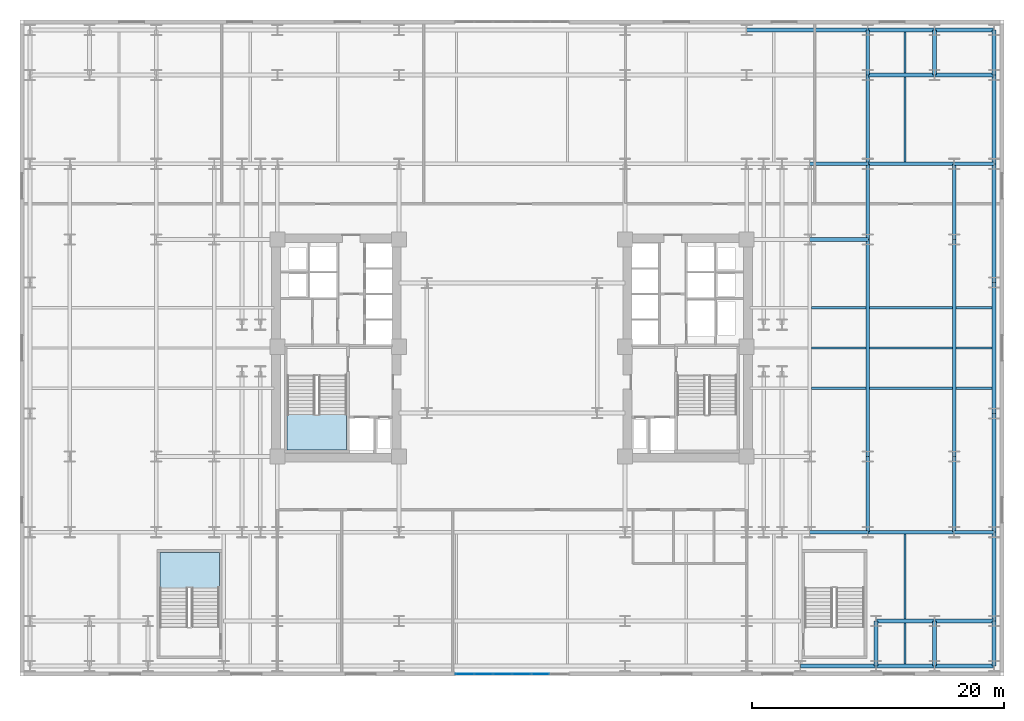
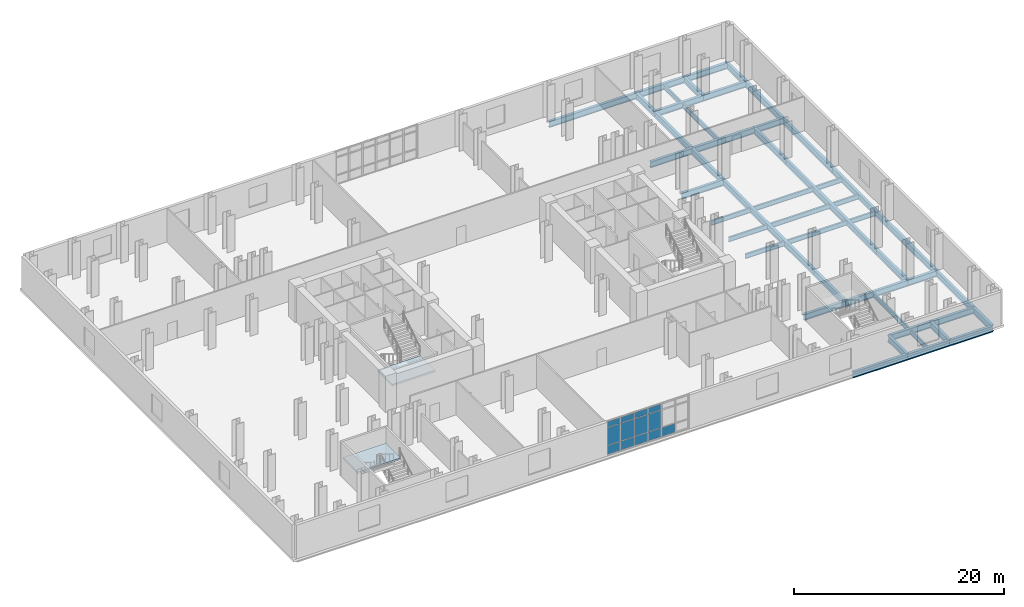
# One storey, part 6 of 13: 48 beams, 13 plates, 2 slabs, 3 elements without a shape of their own.
"""IFC4 building model written with IfcOpenShell, lengths in metres."""

import ifcopenshell
import ifcopenshell.guid

model = None  # the IFC model being written
_history = None  # IfcOwnerHistory: only IFC2X3 demands one
_inside = {}  # id of a spatial element -> (the spatial element, [elements in it])
_under = {}  # id of a project, library or spatial element -> (it, [spatial elements below it])
_declared = {}  # id of a project -> (the project, [libraries it declares])
_typed = {}  # id of a type object -> (the type object, [elements of that type])
_made_of = {}  # id of a material, layer set ... -> (it, [elements and type objects made of it])


def new_model(schema):
    """Start an empty IFC model of exactly this schema.

    Asked for "IFC4X3", IfcOpenShell would pick the latest addendum, in which some entities
    have other attributes; the version numbers below select the first issue.
    IFC2X3 requires an IfcOwnerHistory on every rooted entity: one is made here for all.
    """
    global model, _history
    if schema == "IFC4X3":
        model = ifcopenshell.file(schema_version=(4, 3, 0, 0))
    else:
        model = ifcopenshell.file(schema=schema)
    _inside.clear()
    _under.clear()
    _declared.clear()
    _typed.clear()
    _made_of.clear()
    _history = None
    if model.schema == "IFC2X3":
        org = make("IfcOrganization", Name="unknown")
        user = make(
            "IfcPersonAndOrganization",
            ThePerson=make("IfcPerson", FamilyName="unknown"),
            TheOrganization=org,
        )
        app = make(
            "IfcApplication",
            ApplicationDeveloper=org,
            Version="unknown",
            ApplicationFullName="unknown",
            ApplicationIdentifier="unknown",
        )
        _history = make(
            "IfcOwnerHistory",
            OwningUser=user,
            OwningApplication=app,
            ChangeAction="ADDED",
            CreationDate=0,
        )
    return model


def make(cls, **values):
    """One entity of the class cls with the attributes given. An attribute that is None is left unset."""
    return model.create_entity(
        cls, **{name: value for name, value in values.items() if value is not None}
    )


def rooted(cls, **values):
    """An entity with a GlobalId (a new one), such as an element, a storey or a relation."""
    return make(cls, GlobalId=ifcopenshell.guid.new(), OwnerHistory=_history, **values)


def si_unit(unit_type, name, prefix=None):
    """IfcSIUnit, for example si_unit("LENGTHUNIT", "METRE", prefix="MILLI")."""
    return make("IfcSIUnit", UnitType=unit_type, Prefix=prefix, Name=name)


def assignment(units):
    """IfcUnitAssignment: the units of a project."""
    return None if units is None else make("IfcUnitAssignment", Units=units)


def point(xyz):
    """IfcCartesianPoint."""
    return None if xyz is None else make("IfcCartesianPoint", Coordinates=xyz)


def direction(xyz):
    """IfcDirection."""
    return None if xyz is None else make("IfcDirection", DirectionRatios=xyz)


def frame(location, z_axis=None, x_axis=None):
    """IfcAxis2Placement3D, a coordinate frame: its origin and axes. An axis left out is left unset."""
    return make(
        "IfcAxis2Placement3D",
        Location=point(location),
        Axis=direction(z_axis),
        RefDirection=direction(x_axis),
    )


def frame_2d(location, x_axis=None):
    """IfcAxis2Placement2D, a coordinate frame in the plane: its origin and x axis."""
    return make(
        "IfcAxis2Placement2D", Location=point(location), RefDirection=direction(x_axis)
    )


def origin():
    """The frame at (0, 0, 0) with its axes left unset."""
    return frame((0.0, 0.0, 0.0))


def origin_2d():
    """The frame at (0, 0) in the plane with its x axis left unset."""
    return frame_2d((0.0, 0.0))


def place(relative_to, where):
    """IfcLocalPlacement: puts the frame where relative to a parent placement (None: the world)."""
    return make(
        "IfcLocalPlacement", PlacementRelTo=relative_to, RelativePlacement=where
    )


def context(
    kind, dimensions, precision=None, world=None, true_north=None, identifier=None
):
    """IfcGeometricRepresentationContext, for example the 3D "Model" context."""
    return make(
        "IfcGeometricRepresentationContext",
        ContextIdentifier=identifier,
        ContextType=kind,
        CoordinateSpaceDimension=dimensions,
        Precision=precision,
        WorldCoordinateSystem=world,
        TrueNorth=true_north,
    )


def subcontext(parent, identifier, kind, view, scale=None):
    """IfcGeometricRepresentationSubContext, for example "Body" below "Model"."""
    return make(
        "IfcGeometricRepresentationSubContext",
        ContextIdentifier=identifier,
        ContextType=kind,
        ParentContext=parent,
        TargetScale=scale,
        TargetView=view,
    )


def project(units=None, contexts=None):
    """IfcProject with its units and contexts."""
    return rooted(
        "IfcProject",
        Name="project",
        RepresentationContexts=contexts,
        UnitsInContext=assignment(units),
    )


def spatial(cls, under=None, at=None, **own):
    """A site, building, storey or space (cls), placed at a placement, below another one or the project."""
    s = rooted(cls, ObjectPlacement=at, **own)
    if under is not None:
        _under.setdefault(under.id(), (under, []))[1].append(s)
    return s


def polyline(points):
    """IfcPolyline through the points."""
    return make("IfcPolyline", Points=[point(p) for p in points])


def profile(cls, at=None, kind="AREA", **sizes):
    """A parametric profile (cls). Its sizes go by their IFC names, for example OverallWidth=200.0."""
    return make(cls, ProfileType=kind, Position=at, **sizes)


def rectangle(**sizes):
    """IfcRectangleProfileDef."""
    return profile("IfcRectangleProfileDef", **sizes)


def i_section(**sizes):
    """IfcIShapeProfileDef."""
    return profile("IfcIShapeProfileDef", **sizes)


def outline(outer, holes=None, kind="AREA"):
    """IfcArbitraryClosedProfileDef: a profile drawn as a closed curve; with holes, ...WithVoids."""
    if holes is None:
        return make("IfcArbitraryClosedProfileDef", ProfileType=kind, OuterCurve=outer)
    return make(
        "IfcArbitraryProfileDefWithVoids",
        ProfileType=kind,
        OuterCurve=outer,
        InnerCurves=holes,
    )


def extrude(swept, where, along, depth):
    """IfcExtrudedAreaSolid: the profile swept, set in the frame where, extruded along a direction by depth."""
    return make(
        "IfcExtrudedAreaSolid",
        SweptArea=swept,
        Position=where,
        ExtrudedDirection=direction(along),
        Depth=depth,
    )


def shape(context_of_items, identifier, shape_type, items):
    """IfcShapeRepresentation: the items that make up one representation, for example the "Body"."""
    return make(
        "IfcShapeRepresentation",
        ContextOfItems=context_of_items,
        RepresentationIdentifier=identifier,
        RepresentationType=shape_type,
        Items=items,
    )


def material(Name=None, Category=None):
    """IfcMaterial."""
    return make("IfcMaterial", Name=Name, Category=Category)


def layer(
    of_material, thickness, ventilated=None, Name=None, Category=None, Priority=None
):
    """IfcMaterialLayer: one layer of a wall or slab, of a material (None: an air gap)."""
    return make(
        "IfcMaterialLayer",
        Material=of_material,
        LayerThickness=thickness,
        IsVentilated=ventilated,
        Name=Name,
        Category=Category,
        Priority=Priority,
    )


def layer_set(layers, Name=None):
    """IfcMaterialLayerSet."""
    return make("IfcMaterialLayerSet", MaterialLayers=layers, LayerSetName=Name)


def material_profile(
    of_material, cross_section, Name=None, Category=None, Priority=None
):
    """IfcMaterialProfile: a cross section and its material."""
    return make(
        "IfcMaterialProfile",
        Name=Name,
        Material=of_material,
        Profile=cross_section,
        Priority=Priority,
        Category=Category,
    )


def profile_set(profiles, Name=None, composite=None):
    """IfcMaterialProfileSet."""
    return make(
        "IfcMaterialProfileSet",
        Name=Name,
        MaterialProfiles=profiles,
        CompositeProfile=composite,
    )


def made_of(thing, what):
    """Note that an element or type object is made of a material, layer set ...; save() writes the relation."""
    if what is not None:
        _made_of.setdefault(what.id(), (what, []))[1].append(thing)
    return thing


def type_object(cls, material=None, **own):
    """A type object (cls), such as IfcWallType, which elements share."""
    return made_of(rooted(cls, **own), material)


def element(
    cls,
    number,
    at=None,
    inside=None,
    cuts=None,
    type_object=None,
    material=None,
    context=None,
    identifier="Body",
    shape_type=None,
    held_by="IfcProductDefinitionShape",
    body=None,
    shapes=None,
    **own,
):
    """One element of the class cls, such as IfcWall. Its Tag is "e" and its number.

    at: its placement. inside: the storey or other place that contains it. cuts: it is an
    opening in that element (IfcRelVoidsElement). A single representation is given by context,
    identifier, shape_type and body (its items); several are given by shapes. held_by: the class
    of the entity that holds the representations. save() writes the other relations.
    """
    e = rooted(cls, Tag="e%d" % number, ObjectPlacement=at, **own)
    if body is not None:
        shapes = [shape(context, identifier, shape_type, body)]
    if shapes is not None:
        e.Representation = make(held_by, Representations=shapes)
    if inside is not None:
        _inside.setdefault(inside.id(), (inside, []))[1].append(e)
    if cuts is not None:
        rooted(
            "IfcRelVoidsElement", RelatingBuildingElement=cuts, RelatedOpeningElement=e
        )
    if type_object is not None:
        _typed.setdefault(type_object.id(), (type_object, []))[1].append(e)
    return made_of(e, material)


def aggregate(whole, parts):
    """IfcRelAggregates: a whole, such as a stair, and the parts it consists of."""
    return rooted("IfcRelAggregates", RelatingObject=whole, RelatedObjects=parts)


def save(model, path):
    """Write the relations noted so far, then the file.

    IfcRelAggregates (storeys below a building ...), IfcRelContainedInSpatialStructure (elements
    in a storey), IfcRelDefinesByType, IfcRelAssociatesMaterial and IfcRelDeclares: one each for
    every whole, place, type object, material and project.
    """
    for whole, parts in _under.values():
        aggregate(whole, parts)
    for where, things in _inside.values():
        rooted(
            "IfcRelContainedInSpatialStructure",
            RelatedElements=things,
            RelatingStructure=where,
        )
    for kind, things in _typed.values():
        rooted("IfcRelDefinesByType", RelatedObjects=things, RelatingType=kind)
    for what, things in _made_of.values():
        rooted("IfcRelAssociatesMaterial", RelatedObjects=things, RelatingMaterial=what)
    for by, libraries in _declared.values():
        rooted("IfcRelDeclares", RelatingContext=by, RelatedDefinitions=libraries)
    model.write(path)


model = new_model("IFC4")

# Units and contexts
model_context = context("Model", 3, precision=1e-05, world=origin(), true_north=direction((0.0, 1.0)))
body_context = subcontext(model_context, "Body", "Model", "MODEL_VIEW")
ifc_project = project(units=[si_unit("LENGTHUNIT", "METRE"), si_unit("AREAUNIT", "SQUARE_METRE"), si_unit("VOLUMEUNIT", "CUBIC_METRE"), si_unit("PLANEANGLEUNIT", "RADIAN"), si_unit("MASSUNIT", "GRAM", prefix="KILO")], contexts=[model_context])

# Site, building, storey
site_placement = place(None, origin())
site = spatial("IfcSite", under=ifc_project, at=site_placement, CompositionType="ELEMENT")
building_placement = place(site_placement, origin())
building = spatial("IfcBuilding", under=site, at=building_placement, Name="Velakula Bourse", CompositionType="ELEMENT")
storey_placement = place(building_placement, frame((0.0, 0.0, 18.60009765625)))
storey = spatial("IfcBuildingStorey", under=building, at=storey_placement, Name="L04", CompositionType="ELEMENT", Elevation=18.60009765625)

# Beams
ifc_material_1 = material(Name="Steel IS 2062 Grade 350 (E350)", Category="steel")
ifc_material_profile_1 = material_profile(ifc_material_1, i_section(OverallWidth=0.300048828125, OverallDepth=0.699951171875, WebThickness=0.01611328125, FlangeThickness=0.02490234375, at=origin_2d()), Name="Steel IS 2062 Grade 350 (E350)")
ifc_profile_set_1 = profile_set([ifc_material_profile_1], Name="Steel IS 2062 Grade 350 (E350)")
beam_type_1 = type_object("IfcBeamType", Name="BM-POD-700", PredefinedType="BEAM", material=ifc_profile_set_1)
for number, where, z_axis, x_axis, name in (
    (1, (23.60009765625, -14.60009765625, -0.60009765625), (1.0, 0.0, 0.0), (0.0, 1.0, 0.0), "L04 Fulcrum Grid Girder WNG-ES1"),
    (2, (23.60009765625, 8.60009765625, -0.60009765625), (1.0, 0.0, 0.0), (0.0, 1.0, 0.0), "L04 Fulcrum Grid Girder WNG-EN1"),
    (3, (23.60009765625, 14.60009765625, -0.60009765625), (1.0, 0.0, 0.0), (0.0, 1.0, 0.0), "L04 Fulcrum Grid Girder WNG-EN2"),
):
    element("IfcBeam", number, at=place(storey_placement, frame(where, z_axis=z_axis, x_axis=x_axis)), inside=storey, type_object=beam_type_1, Name=name, PredefinedType="BEAM", context=body_context, shape_type="SweptSolid", body=[
        extrude(i_section(OverallWidth=0.300048828125, OverallDepth=0.699951171875, WebThickness=0.01611328125, FlangeThickness=0.02490234375, at=origin_2d()), origin(), (0.0, 0.0, 1.0), 4.599853515625),
    ])
beam_1_placement = place(storey_placement, frame((28.199951171875, -14.60009765625, -0.60009765625), z_axis=(0.0, 1.0, 0.0), x_axis=(-1.0, 0.0, 0.0)))
element("IfcBeam", 4, at=beam_1_placement, inside=storey, type_object=beam_type_1, Name="L04 Fulcrum Grid Girder WNG-ENS1", PredefinedType="BEAM", context=body_context, shape_type="SweptSolid", body=[
    extrude(i_section(OverallWidth=0.300048828125, OverallDepth=0.699951171875, WebThickness=0.01611328125, FlangeThickness=0.02490234375, at=origin_2d()), origin(), (0.0, 0.0, 1.0), 6.0),
])
beam_2_placement = place(storey_placement, frame((28.199951171875, -8.60009765625, -0.60009765625), z_axis=(0.0, 1.0, 0.0), x_axis=(-1.0, 0.0, 0.0)))
element("IfcBeam", 5, at=beam_2_placement, inside=storey, type_object=beam_type_1, Name="L04 Fulcrum Grid Girder WNG-ENS2", PredefinedType="BEAM", context=body_context, shape_type="SweptSolid", body=[
    extrude(i_section(OverallWidth=0.300048828125, OverallDepth=0.699951171875, WebThickness=0.01611328125, FlangeThickness=0.02490234375, at=origin_2d()), origin(), (0.0, 0.0, 1.0), 17.2001953125),
])
for number, where, z_axis, x_axis, name in (
    (6, (28.199951171875, 8.60009765625, -0.60009765625), (0.0, 1.0, 0.0), (-1.0, 0.0, 0.0), "L04 Fulcrum Grid Girder WNG-ENS3"),
    (7, (22.85009765625, -25.199951171875, -0.60009765625), (1.0, 0.0, 0.0), (0.0, 1.0, 0.0), "L04 Podium E-W Girder 09"),
):
    element("IfcBeam", number, at=place(storey_placement, frame(where, z_axis=z_axis, x_axis=x_axis)), inside=storey, type_object=beam_type_1, Name=name, PredefinedType="BEAM", context=body_context, shape_type="SweptSolid", body=[
        extrude(i_section(OverallWidth=0.300048828125, OverallDepth=0.699951171875, WebThickness=0.01611328125, FlangeThickness=0.02490234375, at=origin_2d()), origin(), (0.0, 0.0, 1.0), 6.0),
    ])
beam_3_placement = place(storey_placement, frame((28.85009765625, -25.199951171875, -0.60009765625), z_axis=(1.0, 0.0, 0.0), x_axis=(0.0, 1.0, 0.0)))
element("IfcBeam", 8, at=beam_3_placement, inside=storey, type_object=beam_type_1, Name="L04 Podium E-W Girder 10", PredefinedType="BEAM", context=body_context, shape_type="SweptSolid", body=[
    extrude(i_section(OverallWidth=0.300048828125, OverallDepth=0.699951171875, WebThickness=0.01611328125, FlangeThickness=0.02490234375, at=origin_2d()), origin(), (0.0, 0.0, 1.0), 4.64990234375),
])
beam_4_placement = place(storey_placement, frame((33.5, -25.199951171875, -0.60009765625), z_axis=(1.0, 0.0, 0.0), x_axis=(0.0, 1.0, 0.0)))
element("IfcBeam", 9, at=beam_4_placement, inside=storey, type_object=beam_type_1, Name="L04 Podium E-W Girder 11", PredefinedType="BEAM", context=body_context, shape_type="SweptSolid", body=[
    extrude(i_section(OverallWidth=0.300048828125, OverallDepth=0.699951171875, WebThickness=0.01611328125, FlangeThickness=0.02490234375, at=origin_2d()), origin(), (0.0, 0.0, 1.0), 4.699951171875),
])
beam_5_placement = place(storey_placement, frame((28.85009765625, -21.64990234375, -0.60009765625), z_axis=(1.0, 0.0, 0.0), x_axis=(0.0, 1.0, 0.0)))
element("IfcBeam", 10, at=beam_5_placement, inside=storey, type_object=beam_type_1, Name="L04 Podium E-W Girder 19", PredefinedType="BEAM", context=body_context, shape_type="SweptSolid", body=[
    extrude(i_section(OverallWidth=0.300048828125, OverallDepth=0.699951171875, WebThickness=0.01611328125, FlangeThickness=0.02490234375, at=origin_2d()), origin(), (0.0, 0.0, 1.0), 4.64990234375),
])
beam_6_placement = place(storey_placement, frame((33.5, -21.64990234375, -0.60009765625), z_axis=(1.0, 0.0, 0.0), x_axis=(0.0, 1.0, 0.0)))
element("IfcBeam", 11, at=beam_6_placement, inside=storey, type_object=beam_type_1, Name="L04 Podium E-W Girder 20", PredefinedType="BEAM", context=body_context, shape_type="SweptSolid", body=[
    extrude(i_section(OverallWidth=0.300048828125, OverallDepth=0.699951171875, WebThickness=0.01611328125, FlangeThickness=0.02490234375, at=origin_2d()), origin(), (0.0, 0.0, 1.0), 4.699951171875),
])
beam_7_placement = place(storey_placement, frame((28.199951171875, -14.60009765625, -0.60009765625), z_axis=(1.0, 0.0, 0.0), x_axis=(0.0, 1.0, 0.0)))
element("IfcBeam", 12, at=beam_7_placement, inside=storey, type_object=beam_type_1, Name="L04 Podium E-W Girder 32", PredefinedType="BEAM", context=body_context, shape_type="SweptSolid", body=[
    extrude(i_section(OverallWidth=0.300048828125, OverallDepth=0.699951171875, WebThickness=0.01611328125, FlangeThickness=0.02490234375, at=origin_2d()), origin(), (0.0, 0.0, 1.0), 6.85009765625),
])
beam_8_placement = place(storey_placement, frame((35.050048828125, -14.60009765625, -0.60009765625), z_axis=(1.0, 0.0, 0.0), x_axis=(0.0, 1.0, 0.0)))
element("IfcBeam", 13, at=beam_8_placement, inside=storey, type_object=beam_type_1, Name="L04 Podium E-W Girder 33", PredefinedType="BEAM", context=body_context, shape_type="SweptSolid", body=[
    extrude(i_section(OverallWidth=0.300048828125, OverallDepth=0.699951171875, WebThickness=0.01611328125, FlangeThickness=0.02490234375, at=origin_2d()), origin(), (0.0, 0.0, 1.0), 3.14990234375),
])
beam_9_placement = place(storey_placement, frame((28.199951171875, 14.60009765625, -0.60009765625), z_axis=(1.0, 0.0, 0.0), x_axis=(0.0, 1.0, 0.0)))
element("IfcBeam", 14, at=beam_9_placement, inside=storey, type_object=beam_type_1, Name="L04 Podium E-W Girder 45", PredefinedType="BEAM", context=body_context, shape_type="SweptSolid", body=[
    extrude(i_section(OverallWidth=0.300048828125, OverallDepth=0.699951171875, WebThickness=0.01611328125, FlangeThickness=0.02490234375, at=origin_2d()), origin(), (0.0, 0.0, 1.0), 6.85009765625),
])
beam_10_placement = place(storey_placement, frame((35.050048828125, 14.60009765625, -0.60009765625), z_axis=(1.0, 0.0, 0.0), x_axis=(0.0, 1.0, 0.0)))
element("IfcBeam", 15, at=beam_10_placement, inside=storey, type_object=beam_type_1, Name="L04 Podium E-W Girder 46", PredefinedType="BEAM", context=body_context, shape_type="SweptSolid", body=[
    extrude(i_section(OverallWidth=0.300048828125, OverallDepth=0.699951171875, WebThickness=0.01611328125, FlangeThickness=0.02490234375, at=origin_2d()), origin(), (0.0, 0.0, 1.0), 3.14990234375),
])
beam_11_placement = place(storey_placement, frame((28.199951171875, 21.64990234375, -0.60009765625), z_axis=(1.0, 0.0, 0.0), x_axis=(0.0, 1.0, 0.0)))
element("IfcBeam", 16, at=beam_11_placement, inside=storey, type_object=beam_type_1, Name="L04 Podium E-W Girder 54", PredefinedType="BEAM", context=body_context, shape_type="SweptSolid", body=[
    extrude(i_section(OverallWidth=0.300048828125, OverallDepth=0.699951171875, WebThickness=0.01611328125, FlangeThickness=0.02490234375, at=origin_2d()), origin(), (0.0, 0.0, 1.0), 5.300048828125),
])
beam_12_placement = place(storey_placement, frame((33.5, 21.64990234375, -0.60009765625), z_axis=(1.0, 0.0, 0.0), x_axis=(0.0, 1.0, 0.0)))
element("IfcBeam", 17, at=beam_12_placement, inside=storey, type_object=beam_type_1, Name="L04 Podium E-W Girder 55", PredefinedType="BEAM", context=body_context, shape_type="SweptSolid", body=[
    extrude(i_section(OverallWidth=0.300048828125, OverallDepth=0.699951171875, WebThickness=0.01611328125, FlangeThickness=0.02490234375, at=origin_2d()), origin(), (0.0, 0.0, 1.0), 4.699951171875),
])
beam_13_placement = place(storey_placement, frame((18.60009765625, 25.199951171875, -0.60009765625), z_axis=(1.0, 0.0, 0.0), x_axis=(0.0, 1.0, 0.0)))
element("IfcBeam", 18, at=beam_13_placement, inside=storey, type_object=beam_type_1, Name="L04 Podium E-W Girder 62", PredefinedType="BEAM", context=body_context, shape_type="SweptSolid", body=[
    extrude(i_section(OverallWidth=0.300048828125, OverallDepth=0.699951171875, WebThickness=0.01611328125, FlangeThickness=0.02490234375, at=origin_2d()), origin(), (0.0, 0.0, 1.0), 9.599853515625),
])
beam_14_placement = place(storey_placement, frame((28.199951171875, 25.199951171875, -0.60009765625), z_axis=(1.0, 0.0, 0.0), x_axis=(0.0, 1.0, 0.0)))
element("IfcBeam", 19, at=beam_14_placement, inside=storey, type_object=beam_type_1, Name="L04 Podium E-W Girder 63", PredefinedType="BEAM", context=body_context, shape_type="SweptSolid", body=[
    extrude(i_section(OverallWidth=0.300048828125, OverallDepth=0.699951171875, WebThickness=0.01611328125, FlangeThickness=0.02490234375, at=origin_2d()), origin(), (0.0, 0.0, 1.0), 5.300048828125),
])
beam_15_placement = place(storey_placement, frame((33.5, 25.199951171875, -0.60009765625), z_axis=(1.0, 0.0, 0.0), x_axis=(0.0, 1.0, 0.0)))
element("IfcBeam", 20, at=beam_15_placement, inside=storey, type_object=beam_type_1, Name="L04 Podium E-W Girder 64", PredefinedType="BEAM", context=body_context, shape_type="SweptSolid", body=[
    extrude(i_section(OverallWidth=0.300048828125, OverallDepth=0.699951171875, WebThickness=0.01611328125, FlangeThickness=0.02490234375, at=origin_2d()), origin(), (0.0, 0.0, 1.0), 4.699951171875),
])
beam_16_placement = place(storey_placement, frame((28.199951171875, 14.60009765625, -0.60009765625), z_axis=(0.0, 1.0, 0.0), x_axis=(-1.0, 0.0, 0.0)))
element("IfcBeam", 21, at=beam_16_placement, inside=storey, type_object=beam_type_1, Name="L04 Podium N-S Girder 85", PredefinedType="BEAM", context=body_context, shape_type="SweptSolid", body=[
    extrude(i_section(OverallWidth=0.300048828125, OverallDepth=0.699951171875, WebThickness=0.01611328125, FlangeThickness=0.02490234375, at=origin_2d()), origin(), (0.0, 0.0, 1.0), 7.0498046875),
])
for number, where, z_axis, x_axis, name in (
    (22, (28.199951171875, 21.64990234375, -0.60009765625), (0.0, 1.0, 0.0), (-1.0, 0.0, 0.0), "L04 Podium N-S Girder 86"),
    (23, (28.85009765625, -25.199951171875, -0.60009765625), (0.0, 1.0, 0.0), (-1.0, 0.0, 0.0), "L04 Podium N-S Girder 87"),
    (24, (33.5, -25.199951171875, -0.60009765625), (0.0, 1.0, 0.0), (-1.0, 0.0, 0.0), "L04 Podium N-S Girder 88"),
):
    element("IfcBeam", number, at=place(storey_placement, frame(where, z_axis=z_axis, x_axis=x_axis)), inside=storey, type_object=beam_type_1, Name=name, PredefinedType="BEAM", context=body_context, shape_type="SweptSolid", body=[
        extrude(i_section(OverallWidth=0.300048828125, OverallDepth=0.699951171875, WebThickness=0.01611328125, FlangeThickness=0.02490234375, at=origin_2d()), origin(), (0.0, 0.0, 1.0), 3.550048828125),
    ])
beam_17_placement = place(storey_placement, frame((35.050048828125, -14.60009765625, -0.60009765625), z_axis=(0.0, 1.0, 0.0), x_axis=(-1.0, 0.0, 0.0)))
element("IfcBeam", 25, at=beam_17_placement, inside=storey, type_object=beam_type_1, Name="L04 Podium N-S Girder 89", PredefinedType="BEAM", context=body_context, shape_type="SweptSolid", body=[
    extrude(i_section(OverallWidth=0.300048828125, OverallDepth=0.699951171875, WebThickness=0.01611328125, FlangeThickness=0.02490234375, at=origin_2d()), origin(), (0.0, 0.0, 1.0), 6.0),
])
beam_18_placement = place(storey_placement, frame((35.050048828125, -8.60009765625, -0.60009765625), z_axis=(0.0, 1.0, 0.0), x_axis=(-1.0, 0.0, 0.0)))
element("IfcBeam", 26, at=beam_18_placement, inside=storey, type_object=beam_type_1, Name="L04 Podium N-S Girder 90", PredefinedType="BEAM", context=body_context, shape_type="SweptSolid", body=[
    extrude(i_section(OverallWidth=0.300048828125, OverallDepth=0.699951171875, WebThickness=0.01611328125, FlangeThickness=0.02490234375, at=origin_2d()), origin(), (0.0, 0.0, 1.0), 17.2001953125),
])
beam_19_placement = place(storey_placement, frame((35.050048828125, 8.60009765625, -0.60009765625), z_axis=(0.0, 1.0, 0.0), x_axis=(-1.0, 0.0, 0.0)))
element("IfcBeam", 27, at=beam_19_placement, inside=storey, type_object=beam_type_1, Name="L04 Podium N-S Girder 91", PredefinedType="BEAM", context=body_context, shape_type="SweptSolid", body=[
    extrude(i_section(OverallWidth=0.300048828125, OverallDepth=0.699951171875, WebThickness=0.01611328125, FlangeThickness=0.02490234375, at=origin_2d()), origin(), (0.0, 0.0, 1.0), 6.0),
])
beam_20_placement = place(storey_placement, frame((38.199951171875, -25.199951171875, -0.60009765625), z_axis=(0.0, 1.0, 0.0), x_axis=(-1.0, 0.0, 0.0)))
element("IfcBeam", 28, at=beam_20_placement, inside=storey, type_object=beam_type_1, Name="L04 Podium N-S Girder 92", PredefinedType="BEAM", context=body_context, shape_type="SweptSolid", body=[
    extrude(i_section(OverallWidth=0.300048828125, OverallDepth=0.699951171875, WebThickness=0.01611328125, FlangeThickness=0.02490234375, at=origin_2d()), origin(), (0.0, 0.0, 1.0), 3.550048828125),
])
beam_21_placement = place(storey_placement, frame((38.199951171875, -21.64990234375, -0.60009765625), z_axis=(0.0, 1.0, 0.0), x_axis=(-1.0, 0.0, 0.0)))
element("IfcBeam", 29, at=beam_21_placement, inside=storey, type_object=beam_type_1, Name="L04 Podium N-S Girder 93", PredefinedType="BEAM", context=body_context, shape_type="SweptSolid", body=[
    extrude(i_section(OverallWidth=0.300048828125, OverallDepth=0.699951171875, WebThickness=0.01611328125, FlangeThickness=0.02490234375, at=origin_2d()), origin(), (0.0, 0.0, 1.0), 7.0498046875),
])
beam_22_placement = place(storey_placement, frame((38.199951171875, -14.60009765625, -0.60009765625), z_axis=(0.0, 1.0, 0.0), x_axis=(-1.0, 0.0, 0.0)))
element("IfcBeam", 30, at=beam_22_placement, inside=storey, type_object=beam_type_1, Name="L04 Podium N-S Girder 94", PredefinedType="BEAM", context=body_context, shape_type="SweptSolid", body=[
    extrude(i_section(OverallWidth=0.300048828125, OverallDepth=0.699951171875, WebThickness=0.01611328125, FlangeThickness=0.02490234375, at=origin_2d()), origin(), (0.0, 0.0, 1.0), 9.400146484375),
])
beam_23_placement = place(storey_placement, frame((38.199951171875, -5.199951171875, -0.60009765625), z_axis=(0.0, 1.0, 0.0), x_axis=(-1.0, 0.0, 0.0)))
element("IfcBeam", 31, at=beam_23_placement, inside=storey, type_object=beam_type_1, Name="L04 Podium N-S Girder 95", PredefinedType="BEAM", context=body_context, shape_type="SweptSolid", body=[
    extrude(i_section(OverallWidth=0.300048828125, OverallDepth=0.699951171875, WebThickness=0.01611328125, FlangeThickness=0.02490234375, at=origin_2d()), origin(), (0.0, 0.0, 1.0), 10.39990234375),
])
beam_24_placement = place(storey_placement, frame((38.199951171875, 5.199951171875, -0.60009765625), z_axis=(0.0, 1.0, 0.0), x_axis=(-1.0, 0.0, 0.0)))
element("IfcBeam", 32, at=beam_24_placement, inside=storey, type_object=beam_type_1, Name="L04 Podium N-S Girder 96", PredefinedType="BEAM", context=body_context, shape_type="SweptSolid", body=[
    extrude(i_section(OverallWidth=0.300048828125, OverallDepth=0.699951171875, WebThickness=0.01611328125, FlangeThickness=0.02490234375, at=origin_2d()), origin(), (0.0, 0.0, 1.0), 9.400146484375),
])
beam_25_placement = place(storey_placement, frame((38.199951171875, 14.60009765625, -0.60009765625), z_axis=(0.0, 1.0, 0.0), x_axis=(-1.0, 0.0, 0.0)))
element("IfcBeam", 33, at=beam_25_placement, inside=storey, type_object=beam_type_1, Name="L04 Podium N-S Girder 97", PredefinedType="BEAM", context=body_context, shape_type="SweptSolid", body=[
    extrude(i_section(OverallWidth=0.300048828125, OverallDepth=0.699951171875, WebThickness=0.01611328125, FlangeThickness=0.02490234375, at=origin_2d()), origin(), (0.0, 0.0, 1.0), 7.0498046875),
])
for number, where, z_axis, x_axis, name in (
    (34, (38.199951171875, 21.64990234375, -0.60009765625), (0.0, 1.0, 0.0), (-1.0, 0.0, 0.0), "L04 Podium N-S Girder 98"),
    (35, (33.5, 21.64990234375, -0.60009765625), (0.0, 1.0, 0.0), (-1.0, 0.0, 0.0), "L04 Podium N-S Girder 100"),
):
    element("IfcBeam", number, at=place(storey_placement, frame(where, z_axis=z_axis, x_axis=x_axis)), inside=storey, type_object=beam_type_1, Name=name, PredefinedType="BEAM", context=body_context, shape_type="SweptSolid", body=[
        extrude(i_section(OverallWidth=0.300048828125, OverallDepth=0.699951171875, WebThickness=0.01611328125, FlangeThickness=0.02490234375, at=origin_2d()), origin(), (0.0, 0.0, 1.0), 3.550048828125),
    ])
ifc_material_profile_2 = material_profile(ifc_material_1, i_section(OverallWidth=0.18994140625, OverallDepth=0.550048828125, WebThickness=0.01123046875, FlangeThickness=0.019287109375, at=origin_2d()), Name="Steel IS 2062 Grade 350 (E350)")
ifc_profile_set_2 = profile_set([ifc_material_profile_2], Name="Steel IS 2062 Grade 350 (E350)")
beam_type_2 = type_object("IfcBeamType", Name="JST-POD-550", PredefinedType="JOIST", material=ifc_profile_set_2)
beam_26_placement = place(storey_placement, frame((31.14990234375, -25.050048828125, -0.525146484375), z_axis=(0.0, 1.0, 0.0), x_axis=(-1.0, 0.0, 0.0)))
element("IfcBeam", 36, at=beam_26_placement, inside=storey, type_object=beam_type_2, Name="L04 Station Podium Floor Joist 29", PredefinedType="JOIST", context=body_context, shape_type="SweptSolid", body=[
    extrude(i_section(OverallWidth=0.18994140625, OverallDepth=0.550048828125, WebThickness=0.01123046875, FlangeThickness=0.019287109375, at=origin_2d()), origin(), (0.0, 0.0, 1.0), 3.25),
])
for number, where, z_axis, x_axis, name in (
    (37, (31.14990234375, -21.5, -0.525146484375), (0.0, 1.0, 0.0), (-1.0, 0.0, 0.0), "L04 Station Podium Floor Joist 30"),
    (38, (31.14990234375, 14.75, -0.525146484375), (0.0, 1.0, 0.0), (-1.0, 0.0, 0.0), "L04 Station Podium Floor Joist 31"),
):
    element("IfcBeam", number, at=place(storey_placement, frame(where, z_axis=z_axis, x_axis=x_axis)), inside=storey, type_object=beam_type_2, Name=name, PredefinedType="JOIST", context=body_context, shape_type="SweptSolid", body=[
        extrude(i_section(OverallWidth=0.18994140625, OverallDepth=0.550048828125, WebThickness=0.01123046875, FlangeThickness=0.019287109375, at=origin_2d()), origin(), (0.0, 0.0, 1.0), 6.75),
    ])
beam_27_placement = place(storey_placement, frame((31.14990234375, 21.800048828125, -0.525146484375), z_axis=(0.0, 1.0, 0.0), x_axis=(-1.0, 0.0, 0.0)))
element("IfcBeam", 39, at=beam_27_placement, inside=storey, type_object=beam_type_2, Name="L04 Station Podium Floor Joist 32", PredefinedType="JOIST", context=body_context, shape_type="SweptSolid", body=[
    extrude(i_section(OverallWidth=0.18994140625, OverallDepth=0.550048828125, WebThickness=0.01123046875, FlangeThickness=0.019287109375, at=origin_2d()), origin(), (0.0, 0.0, 1.0), 3.25),
])
beam_28_placement = place(storey_placement, frame((23.75, -3.199951171875, -0.525146484375), z_axis=(1.0, 0.0, 0.0), x_axis=(0.0, 1.0, 0.0)))
element("IfcBeam", 40, at=beam_28_placement, inside=storey, type_object=beam_type_2, Name="L04 Station Wing Floor Joist 38", PredefinedType="JOIST", context=body_context, shape_type="SweptSolid", body=[
    extrude(i_section(OverallWidth=0.18994140625, OverallDepth=0.550048828125, WebThickness=0.01123046875, FlangeThickness=0.019287109375, at=origin_2d()), origin(), (0.0, 0.0, 1.0), 4.300048828125),
])
beam_29_placement = place(storey_placement, frame((28.35009765625, -3.199951171875, -0.525146484375), z_axis=(1.0, 0.0, 0.0), x_axis=(0.0, 1.0, 0.0)))
element("IfcBeam", 41, at=beam_29_placement, inside=storey, type_object=beam_type_2, Name="L04 Station Wing Floor Joist 39", PredefinedType="JOIST", context=body_context, shape_type="SweptSolid", body=[
    extrude(i_section(OverallWidth=0.18994140625, OverallDepth=0.550048828125, WebThickness=0.01123046875, FlangeThickness=0.019287109375, at=origin_2d()), origin(), (0.0, 0.0, 1.0), 6.5498046875),
])
beam_30_placement = place(storey_placement, frame((35.199951171875, -3.199951171875, -0.525146484375), z_axis=(1.0, 0.0, 0.0), x_axis=(0.0, 1.0, 0.0)))
element("IfcBeam", 42, at=beam_30_placement, inside=storey, type_object=beam_type_2, Name="L04 Station Wing Floor Joist 40", PredefinedType="JOIST", context=body_context, shape_type="SweptSolid", body=[
    extrude(i_section(OverallWidth=0.18994140625, OverallDepth=0.550048828125, WebThickness=0.01123046875, FlangeThickness=0.019287109375, at=origin_2d()), origin(), (0.0, 0.0, 1.0), 2.85009765625),
])
beam_31_placement = place(storey_placement, frame((23.75, 0.0, -0.525146484375), z_axis=(1.0, 0.0, 0.0), x_axis=(0.0, 1.0, 0.0)))
element("IfcBeam", 43, at=beam_31_placement, inside=storey, type_object=beam_type_2, Name="L04 Station Wing Floor Joist 46", PredefinedType="JOIST", context=body_context, shape_type="SweptSolid", body=[
    extrude(i_section(OverallWidth=0.18994140625, OverallDepth=0.550048828125, WebThickness=0.01123046875, FlangeThickness=0.019287109375, at=origin_2d()), origin(), (0.0, 0.0, 1.0), 4.300048828125),
])
beam_32_placement = place(storey_placement, frame((28.35009765625, 0.0, -0.525146484375), z_axis=(1.0, 0.0, 0.0), x_axis=(0.0, 1.0, 0.0)))
element("IfcBeam", 44, at=beam_32_placement, inside=storey, type_object=beam_type_2, Name="L04 Station Wing Floor Joist 47", PredefinedType="JOIST", context=body_context, shape_type="SweptSolid", body=[
    extrude(i_section(OverallWidth=0.18994140625, OverallDepth=0.550048828125, WebThickness=0.01123046875, FlangeThickness=0.019287109375, at=origin_2d()), origin(), (0.0, 0.0, 1.0), 6.5498046875),
])
beam_33_placement = place(storey_placement, frame((35.199951171875, 0.0, -0.525146484375), z_axis=(1.0, 0.0, 0.0), x_axis=(0.0, 1.0, 0.0)))
element("IfcBeam", 45, at=beam_33_placement, inside=storey, type_object=beam_type_2, Name="L04 Station Wing Floor Joist 48", PredefinedType="JOIST", context=body_context, shape_type="SweptSolid", body=[
    extrude(i_section(OverallWidth=0.18994140625, OverallDepth=0.550048828125, WebThickness=0.01123046875, FlangeThickness=0.019287109375, at=origin_2d()), origin(), (0.0, 0.0, 1.0), 2.85009765625),
])
beam_34_placement = place(storey_placement, frame((23.75, 3.199951171875, -0.525146484375), z_axis=(1.0, 0.0, 0.0), x_axis=(0.0, 1.0, 0.0)))
element("IfcBeam", 46, at=beam_34_placement, inside=storey, type_object=beam_type_2, Name="L04 Station Wing Floor Joist 54", PredefinedType="JOIST", context=body_context, shape_type="SweptSolid", body=[
    extrude(i_section(OverallWidth=0.18994140625, OverallDepth=0.550048828125, WebThickness=0.01123046875, FlangeThickness=0.019287109375, at=origin_2d()), origin(), (0.0, 0.0, 1.0), 4.300048828125),
])
beam_35_placement = place(storey_placement, frame((28.35009765625, 3.199951171875, -0.525146484375), z_axis=(1.0, 0.0, 0.0), x_axis=(0.0, 1.0, 0.0)))
element("IfcBeam", 47, at=beam_35_placement, inside=storey, type_object=beam_type_2, Name="L04 Station Wing Floor Joist 55", PredefinedType="JOIST", context=body_context, shape_type="SweptSolid", body=[
    extrude(i_section(OverallWidth=0.18994140625, OverallDepth=0.550048828125, WebThickness=0.01123046875, FlangeThickness=0.019287109375, at=origin_2d()), origin(), (0.0, 0.0, 1.0), 6.5498046875),
])
beam_36_placement = place(storey_placement, frame((35.199951171875, 3.199951171875, -0.525146484375), z_axis=(1.0, 0.0, 0.0), x_axis=(0.0, 1.0, 0.0)))
element("IfcBeam", 48, at=beam_36_placement, inside=storey, type_object=beam_type_2, Name="L04 Station Wing Floor Joist 56", PredefinedType="JOIST", context=body_context, shape_type="SweptSolid", body=[
    extrude(i_section(OverallWidth=0.18994140625, OverallDepth=0.550048828125, WebThickness=0.01123046875, FlangeThickness=0.019287109375, at=origin_2d()), origin(), (0.0, 0.0, 1.0), 2.85009765625),
])

# Curtain wall, plates
ifc_material_2 = material(Name="Anodised bronze architectural aluminium", Category="aluminium")
ifc_layer_1 = layer(ifc_material_2, 0.179931640625, Name="Anodised bronze architectural aluminium", Category="aluminium")
ifc_layer_set_1 = layer_set([ifc_layer_1], Name="Anodised bronze architectural aluminium")
curtain_wall_type = type_object("IfcCurtainWallType", Name="CW-PD1", PredefinedType="NOTDEFINED", material=ifc_layer_set_1)
curtain_wall_placement = place(storey_placement, origin())
curtain_wall = element("IfcCurtainWall", 49, at=curtain_wall_placement, inside=storey, type_object=curtain_wall_type, Name="L04 South Station Galleria Curtain Wall 2", PredefinedType="NOTDEFINED")
ifc_material_3 = material(Name="Double-glazed solar-control Low-E glass", Category="glass")
ifc_layer_2 = layer(ifc_material_3, 0.02587890625, Name="Double-glazed solar-control Low-E glass", Category="glass")
ifc_layer_set_2 = layer_set([ifc_layer_2], Name="Double-glazed solar-control Low-E glass")
plate_type = type_object("IfcPlateType", Name="PNL-CW-PD1", PredefinedType="CURTAIN_PANEL", material=ifc_layer_set_2)
plate_1_placement = place(storey_placement, frame((2.25, -25.840087890625, 0.06005859375), z_axis=(0.0, 0.0, 1.0), x_axis=(-1.0, 0.0, 0.0)))
plate_1 = element("IfcPlate", 50, at=plate_1_placement, type_object=plate_type, Name="CW-PD1 panel 2.1", PredefinedType="CURTAIN_PANEL", context=body_context, shape_type="SweptSolid", body=[
    extrude(rectangle(XDim=1.43994140625, YDim=0.028076171875, at=origin_2d()), origin(), (0.0, 0.0, 1.0), 1.010009765625),
])
plate_2_placement = place(storey_placement, frame((0.75, -25.840087890625, 0.06005859375), z_axis=(0.0, 0.0, 1.0), x_axis=(-1.0, 0.0, 0.0)))
plate_2 = element("IfcPlate", 51, at=plate_2_placement, type_object=plate_type, Name="CW-PD1 panel 3.1", PredefinedType="CURTAIN_PANEL", context=body_context, shape_type="SweptSolid", body=[
    extrude(rectangle(XDim=1.43994140625, YDim=0.028076171875, at=origin_2d()), origin(), (0.0, 0.0, 1.0), 1.010009765625),
])
plate_3_placement = place(storey_placement, frame((0.75, -25.840087890625, 1.1298828125), z_axis=(0.0, 0.0, 1.0), x_axis=(-1.0, 0.0, 0.0)))
plate_3 = element("IfcPlate", 52, at=plate_3_placement, type_object=plate_type, Name="CW-PD1 panel 3.2", PredefinedType="CURTAIN_PANEL", context=body_context, shape_type="SweptSolid", body=[
    extrude(rectangle(XDim=1.43994140625, YDim=0.028076171875, at=origin_2d()), origin(), (0.0, 0.0, 1.0), 2.02001953125),
])
plate_4_placement = place(storey_placement, frame((0.75, -25.840087890625, 3.2099609375), z_axis=(0.0, 0.0, 1.0), x_axis=(-1.0, 0.0, 0.0)))
plate_4 = element("IfcPlate", 53, at=plate_4_placement, type_object=plate_type, Name="CW-PD1 panel 3.3", PredefinedType="CURTAIN_PANEL", context=body_context, shape_type="SweptSolid", body=[
    extrude(rectangle(XDim=1.43994140625, YDim=0.028076171875, at=origin_2d()), origin(), (0.0, 0.0, 1.0), 0.659912109375),
])
plate_5_placement = place(storey_placement, frame((-0.75, -25.840087890625, 0.06005859375), z_axis=(0.0, 0.0, 1.0), x_axis=(-1.0, 0.0, 0.0)))
plate_5 = element("IfcPlate", 54, at=plate_5_placement, type_object=plate_type, Name="CW-PD1 panel 4.1", PredefinedType="CURTAIN_PANEL", context=body_context, shape_type="SweptSolid", body=[
    extrude(rectangle(XDim=1.43994140625, YDim=0.028076171875, at=origin_2d()), origin(), (0.0, 0.0, 1.0), 1.010009765625),
])
plate_6_placement = place(storey_placement, frame((-0.75, -25.840087890625, 1.1298828125), z_axis=(0.0, 0.0, 1.0), x_axis=(-1.0, 0.0, 0.0)))
plate_6 = element("IfcPlate", 55, at=plate_6_placement, type_object=plate_type, Name="CW-PD1 panel 4.2", PredefinedType="CURTAIN_PANEL", context=body_context, shape_type="SweptSolid", body=[
    extrude(rectangle(XDim=1.43994140625, YDim=0.028076171875, at=origin_2d()), origin(), (0.0, 0.0, 1.0), 2.02001953125),
])
plate_7_placement = place(storey_placement, frame((-0.75, -25.840087890625, 3.2099609375), z_axis=(0.0, 0.0, 1.0), x_axis=(-1.0, 0.0, 0.0)))
plate_7 = element("IfcPlate", 56, at=plate_7_placement, type_object=plate_type, Name="CW-PD1 panel 4.3", PredefinedType="CURTAIN_PANEL", context=body_context, shape_type="SweptSolid", body=[
    extrude(rectangle(XDim=1.43994140625, YDim=0.028076171875, at=origin_2d()), origin(), (0.0, 0.0, 1.0), 0.659912109375),
])
plate_8_placement = place(storey_placement, frame((-2.25, -25.840087890625, 0.06005859375), z_axis=(0.0, 0.0, 1.0), x_axis=(-1.0, 0.0, 0.0)))
plate_8 = element("IfcPlate", 57, at=plate_8_placement, type_object=plate_type, Name="CW-PD1 panel 5.1", PredefinedType="CURTAIN_PANEL", context=body_context, shape_type="SweptSolid", body=[
    extrude(rectangle(XDim=1.43994140625, YDim=0.028076171875, at=origin_2d()), origin(), (0.0, 0.0, 1.0), 1.010009765625),
])
plate_9_placement = place(storey_placement, frame((-2.25, -25.840087890625, 1.1298828125), z_axis=(0.0, 0.0, 1.0), x_axis=(-1.0, 0.0, 0.0)))
plate_9 = element("IfcPlate", 58, at=plate_9_placement, type_object=plate_type, Name="CW-PD1 panel 5.2", PredefinedType="CURTAIN_PANEL", context=body_context, shape_type="SweptSolid", body=[
    extrude(rectangle(XDim=1.43994140625, YDim=0.028076171875, at=origin_2d()), origin(), (0.0, 0.0, 1.0), 2.02001953125),
])
plate_10_placement = place(storey_placement, frame((-2.25, -25.840087890625, 3.2099609375), z_axis=(0.0, 0.0, 1.0), x_axis=(-1.0, 0.0, 0.0)))
plate_10 = element("IfcPlate", 59, at=plate_10_placement, type_object=plate_type, Name="CW-PD1 panel 5.3", PredefinedType="CURTAIN_PANEL", context=body_context, shape_type="SweptSolid", body=[
    extrude(rectangle(XDim=1.43994140625, YDim=0.028076171875, at=origin_2d()), origin(), (0.0, 0.0, 1.0), 0.659912109375),
])
plate_11_placement = place(storey_placement, frame((-3.735107421875, -25.840087890625, 0.06005859375), z_axis=(0.0, 0.0, 1.0), x_axis=(-1.0, 0.0, 0.0)))
plate_11 = element("IfcPlate", 60, at=plate_11_placement, type_object=plate_type, Name="CW-PD1 panel 6.1", PredefinedType="CURTAIN_PANEL", context=body_context, shape_type="SweptSolid", body=[
    extrude(rectangle(XDim=1.409912109375, YDim=0.028076171875, at=origin_2d()), origin(), (0.0, 0.0, 1.0), 1.010009765625),
])
plate_12_placement = place(storey_placement, frame((-3.735107421875, -25.840087890625, 1.1298828125), z_axis=(0.0, 0.0, 1.0), x_axis=(-1.0, 0.0, 0.0)))
plate_12 = element("IfcPlate", 61, at=plate_12_placement, type_object=plate_type, Name="CW-PD1 panel 6.2", PredefinedType="CURTAIN_PANEL", context=body_context, shape_type="SweptSolid", body=[
    extrude(rectangle(XDim=1.409912109375, YDim=0.028076171875, at=origin_2d()), origin(), (0.0, 0.0, 1.0), 2.02001953125),
])
plate_13_placement = place(storey_placement, frame((-3.735107421875, -25.840087890625, 3.2099609375), z_axis=(0.0, 0.0, 1.0), x_axis=(-1.0, 0.0, 0.0)))
plate_13 = element("IfcPlate", 62, at=plate_13_placement, type_object=plate_type, Name="CW-PD1 panel 6.3", PredefinedType="CURTAIN_PANEL", context=body_context, shape_type="SweptSolid", body=[
    extrude(rectangle(XDim=1.409912109375, YDim=0.028076171875, at=origin_2d()), origin(), (0.0, 0.0, 1.0), 0.659912109375),
])
aggregate(curtain_wall, [plate_1, plate_2, plate_3, plate_4, plate_5, plate_6, plate_7, plate_8, plate_9, plate_10, plate_11, plate_12, plate_13])

# Stair, slab
ifc_material_4 = material(Name="Concrete M45 (fck 45 MPa)", Category="concrete")
stair_type = type_object("IfcStairType", Name="STR-DOG-435", PredefinedType="HALF_TURN_STAIR", material=ifc_material_4)
stair_1_placement = place(storey_placement, origin())
stair_1 = element("IfcStair", 63, at=stair_1_placement, inside=storey, type_object=stair_type, Name="L04 West Core Exit Stair ST-W1", PredefinedType="HALF_TURN_STAIR")
ifc_layer_3 = layer(ifc_material_4, 0.199951171875, Name="Concrete M45 (fck 45 MPa)", Category="concrete")
ifc_layer_set_3 = layer_set([ifc_layer_3], Name="Concrete M45 (fck 45 MPa)")
slab_type = type_object("IfcSlabType", Name="SLB-STAIR-LND-200", PredefinedType="LANDING", material=ifc_layer_set_3)
slab_1_placement = place(storey_placement, frame((0.0, 0.0, 1.89990234375)))
slab_1 = element("IfcSlab", 64, at=slab_1_placement, type_object=slab_type, Name="ST-W1 landing 1", PredefinedType="LANDING", context=body_context, shape_type="SweptSolid", body=[
    extrude(outline(polyline([(-17.820068359375, -5.280029296875), (-17.820068359375, -8.10009765625), (-13.10009765625, -8.10009765625), (-13.10009765625, -5.280029296875), (-17.820068359375, -5.280029296875)])), origin(), (0.0, 0.0, 1.0), 0.199951171875),
])
aggregate(stair_1, [slab_1])

stair_2_placement = place(storey_placement, origin())
stair_2 = element("IfcStair", 65, at=stair_2_placement, inside=storey, type_object=stair_type, Name="L04 West Podium Exit Stair ST-P1", PredefinedType="HALF_TURN_STAIR")
slab_2_placement = place(storey_placement, frame((0.0, 0.0, 1.89990234375)))
slab_2 = element("IfcSlab", 66, at=slab_2_placement, type_object=slab_type, Name="ST-P1 landing 1", PredefinedType="LANDING", context=body_context, shape_type="SweptSolid", body=[
    extrude(outline(polyline([(-23.199951171875, -19.02001953125), (-23.199951171875, -16.199951171875), (-27.919921875, -16.199951171875), (-27.919921875, -19.02001953125), (-23.199951171875, -19.02001953125)])), origin(), (0.0, 0.0, 1.0), 0.199951171875),
])
aggregate(stair_2, [slab_2])

save(model, "model.ifc")
